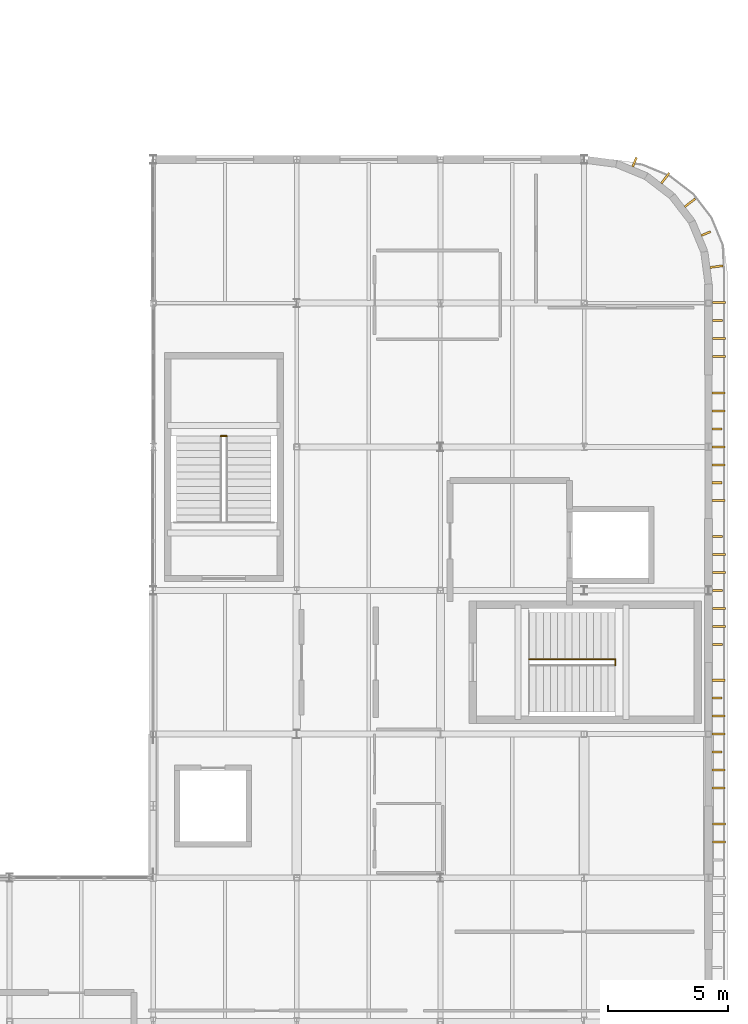
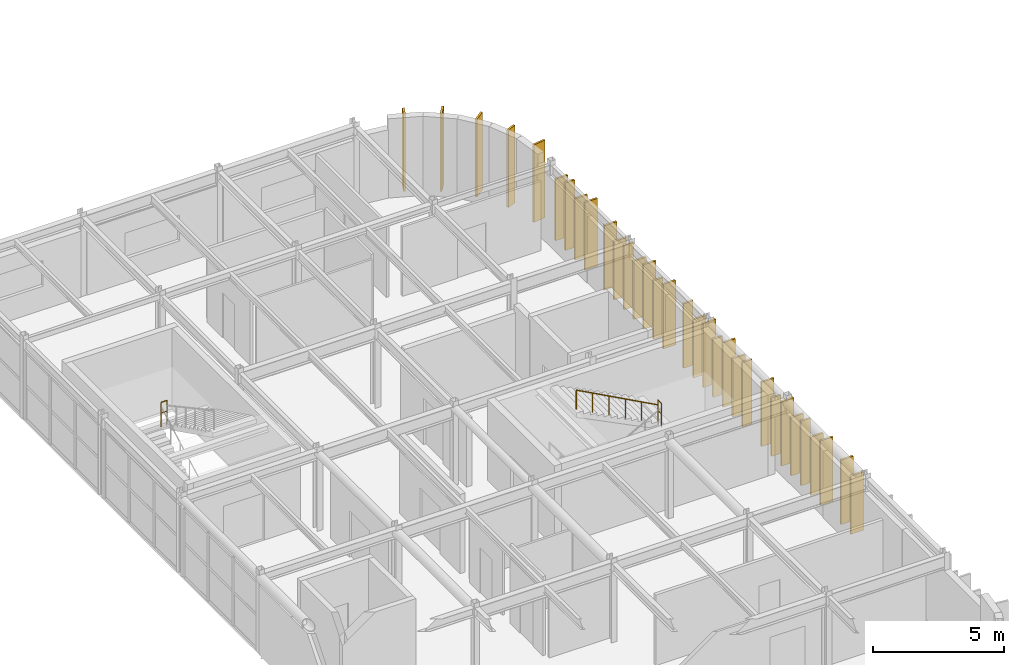
# One storey, part 63 of 63: 32 coverings, 3 railings.
"""IFC4 building model written with IfcOpenShell, lengths in metres."""

from ifc_helpers import new_model, si_unit, direction, frame, origin, origin_2d, place, context, subcontext, project, spatial, rectangle, circle, extrude, material, layer, layer_set, type_object, element, save


model = new_model("IFC4")

# Units and contexts
model_context = context("Model", 3, precision=1e-05, world=origin(), true_north=direction((0.0, 1.0)))
body_context = subcontext(model_context, "Body", "Model", "MODEL_VIEW")
ifc_project = project(units=[si_unit("LENGTHUNIT", "METRE"), si_unit("AREAUNIT", "SQUARE_METRE"), si_unit("VOLUMEUNIT", "CUBIC_METRE"), si_unit("PLANEANGLEUNIT", "RADIAN"), si_unit("MASSUNIT", "GRAM", prefix="KILO")], contexts=[model_context])

# Site, building, storey
site_placement = place(None, origin())
site = spatial("IfcSite", under=ifc_project, at=site_placement, CompositionType="ELEMENT")
building_placement = place(site_placement, origin())
building = spatial("IfcBuilding", under=site, at=building_placement, Name="Varnakota Square Police Headquarters", CompositionType="ELEMENT")
storey_placement = place(building_placement, frame((0.0, 0.0, 22.199951171875)))
storey = spatial("IfcBuildingStorey", under=building, at=storey_placement, Name="L05", CompositionType="ELEMENT", Elevation=22.199951171875)

# Coverings
ifc_material_1 = material(Name="White Anodised Aluminium Vertical Facade Blade 420", Category="aluminium")
ifc_layer_1 = layer(ifc_material_1, 0.0849609375, Name="White Anodised Aluminium Vertical Facade Blade 420")
ifc_layer_set_1 = layer_set([ifc_layer_1], Name="White Anodised Aluminium Vertical Facade Blade 420")
covering_type_1 = type_object("IfcCoveringType", Name="COV-FIN-420", PredefinedType="CLADDING", material=ifc_layer_set_1)
covering_1_placement = place(storey_placement, frame((161.544921875, 20.25, 0.0400390625), z_axis=(0.0, 0.0, 1.0), x_axis=(0.0, 1.0, 0.0)))
element("IfcCovering", 1, at=covering_1_placement, inside=storey, type_object=covering_type_1, Name="Vertical aluminium facade fin FIN-0683", PredefinedType="CLADDING", context=body_context, shape_type="SweptSolid", body=[
    extrude(rectangle(XDim=0.0849609375, YDim=0.419921875, at=origin_2d()), origin(), (0.0, 0.0, 1.0), 3.0),
])
covering_2_placement = place(storey_placement, frame((161.544921875, 22.5, 0.0400390625), z_axis=(0.0, 0.0, 1.0), x_axis=(0.0, 1.0, 0.0)))
element("IfcCovering", 2, at=covering_2_placement, inside=storey, type_object=covering_type_1, Name="Vertical aluminium facade fin FIN-0686", PredefinedType="CLADDING", context=body_context, shape_type="SweptSolid", body=[
    extrude(rectangle(XDim=0.0849609375, YDim=0.419921875, at=origin_2d()), origin(), (0.0, 0.0, 1.0), 2.719970703125),
])
covering_3_placement = place(storey_placement, frame((161.574951171875, 24.75, 0.0400390625), z_axis=(0.0, 0.0, 1.0), x_axis=(0.0, 1.0, 0.0)))
element("IfcCovering", 3, at=covering_3_placement, inside=storey, type_object=covering_type_1, Name="Vertical aluminium facade fin FIN-0688", PredefinedType="CLADDING", context=body_context, shape_type="SweptSolid", body=[
    extrude(rectangle(XDim=0.0849609375, YDim=0.419921875, at=origin_2d()), origin(), (0.0, 0.0, 1.0), 3.0),
])
covering_4_placement = place(storey_placement, frame((161.574951171875, 27.0, 0.0400390625), z_axis=(0.0, 0.0, 1.0), x_axis=(0.0, 1.0, 0.0)))
element("IfcCovering", 4, at=covering_4_placement, inside=storey, type_object=covering_type_1, Name="Vertical aluminium facade fin FIN-0691", PredefinedType="CLADDING", context=body_context, shape_type="SweptSolid", body=[
    extrude(rectangle(XDim=0.0849609375, YDim=0.419921875, at=origin_2d()), origin(), (0.0, 0.0, 1.0), 2.719970703125),
])
covering_5_placement = place(storey_placement, frame((161.574951171875, 29.25, 0.0400390625), z_axis=(0.0, 0.0, 1.0), x_axis=(0.0, 1.0, 0.0)))
element("IfcCovering", 5, at=covering_5_placement, inside=storey, type_object=covering_type_1, Name="Vertical aluminium facade fin FIN-0694", PredefinedType="CLADDING", context=body_context, shape_type="SweptSolid", body=[
    extrude(rectangle(XDim=0.0849609375, YDim=0.419921875, at=origin_2d()), origin(), (0.0, 0.0, 1.0), 3.0),
])
covering_6_placement = place(storey_placement, frame((161.544921875, 31.5, 0.0400390625), z_axis=(0.0, 0.0, 1.0), x_axis=(0.0, 1.0, 0.0)))
element("IfcCovering", 6, at=covering_6_placement, inside=storey, type_object=covering_type_1, Name="Vertical aluminium facade fin FIN-0696", PredefinedType="CLADDING", context=body_context, shape_type="SweptSolid", body=[
    extrude(rectangle(XDim=0.0849609375, YDim=0.419921875, at=origin_2d()), origin(), (0.0, 0.0, 1.0), 2.719970703125),
])
covering_7_placement = place(storey_placement, frame((161.544921875, 33.75, 0.0400390625), z_axis=(0.0, 0.0, 1.0), x_axis=(0.0, 1.0, 0.0)))
element("IfcCovering", 7, at=covering_7_placement, inside=storey, type_object=covering_type_1, Name="Vertical aluminium facade fin FIN-0699", PredefinedType="CLADDING", context=body_context, shape_type="SweptSolid", body=[
    extrude(rectangle(XDim=0.0849609375, YDim=0.419921875, at=origin_2d()), origin(), (0.0, 0.0, 1.0), 3.0),
])
covering_8_placement = place(storey_placement, frame((161.574951171875, 38.27490234375, 0.0400390625), z_axis=(0.0, 0.0, 1.0), x_axis=(0.0, 1.0, 0.0)))
element("IfcCovering", 8, at=covering_8_placement, inside=storey, type_object=covering_type_1, Name="Vertical aluminium facade fin FIN-0704", PredefinedType="CLADDING", context=body_context, shape_type="SweptSolid", body=[
    extrude(rectangle(XDim=0.0849609375, YDim=0.419921875, at=origin_2d()), origin(), (0.0, 0.0, 1.0), 3.14990234375),
])
for number, where, z_axis, x_axis, name in (
    (9, (161.091064453125, 41.90869140625, 0.0400390625), (0.0, 0.0, 1.0), (-0.382683432365, 0.923879532511, 0.0), "Vertical aluminium facade fin FIN-0718"),
    (10, (158.10888671875, 44.89111328125, 0.0400390625), (0.0, 0.0, 1.0), (-0.923879532511, 0.382683432365, 0.0), "Vertical aluminium facade fin FIN-0721"),
):
    element("IfcCovering", number, at=place(storey_placement, frame(where, z_axis=z_axis, x_axis=x_axis)), inside=storey, type_object=covering_type_1, Name=name, PredefinedType="CLADDING", context=body_context, shape_type="SweptSolid", body=[
        extrude(rectangle(XDim=0.0849609375, YDim=0.419921875, at=origin_2d()), origin(), (0.0, 0.0, 1.0), 3.60498046875),
    ])
ifc_material_2 = material(Name="White Anodised Aluminium Vertical Facade Blade 550", Category="aluminium")
ifc_layer_2 = layer(ifc_material_2, 0.0849609375, Name="White Anodised Aluminium Vertical Facade Blade 550")
ifc_layer_set_2 = layer_set([ifc_layer_2], Name="White Anodised Aluminium Vertical Facade Blade 550")
covering_type_2 = type_object("IfcCoveringType", Name="COV-FIN-550", PredefinedType="CLADDING", material=ifc_layer_set_2)
covering_9_placement = place(storey_placement, frame((161.639892578125, 16.5, 0.0400390625), z_axis=(0.0, 0.0, 1.0), x_axis=(0.0, 1.0, 0.0)))
element("IfcCovering", 11, at=covering_9_placement, inside=storey, type_object=covering_type_2, Name="Vertical aluminium facade fin FIN-0679", PredefinedType="CLADDING", context=body_context, shape_type="SweptSolid", body=[
    extrude(rectangle(XDim=0.0849609375, YDim=0.550048828125, at=origin_2d()), origin(), (0.0, 0.0, 1.0), 2.719970703125),
])
for number, where, z_axis, x_axis, name in (
    (12, (161.639892578125, 17.25, 0.0400390625), (0.0, 0.0, 1.0), (0.0, 1.0, 0.0), "Vertical aluminium facade fin FIN-0680"),
    (13, (161.610107421875, 18.75, 0.0400390625), (0.0, 0.0, 1.0), (0.0, 1.0, 0.0), "Vertical aluminium facade fin FIN-0681"),
):
    element("IfcCovering", number, at=place(storey_placement, frame(where, z_axis=z_axis, x_axis=x_axis)), inside=storey, type_object=covering_type_2, Name=name, PredefinedType="CLADDING", context=body_context, shape_type="SweptSolid", body=[
        extrude(rectangle(XDim=0.0849609375, YDim=0.550048828125, at=origin_2d()), origin(), (0.0, 0.0, 1.0), 3.0),
    ])
for number, where, z_axis, x_axis, name in (
    (14, (161.610107421875, 19.5, 0.0400390625), (0.0, 0.0, 1.0), (0.0, 1.0, 0.0), "Vertical aluminium facade fin FIN-0682"),
    (15, (161.610107421875, 21.0, 0.0400390625), (0.0, 0.0, 1.0), (0.0, 1.0, 0.0), "Vertical aluminium facade fin FIN-0684"),
):
    element("IfcCovering", number, at=place(storey_placement, frame(where, z_axis=z_axis, x_axis=x_axis)), inside=storey, type_object=covering_type_2, Name=name, PredefinedType="CLADDING", context=body_context, shape_type="SweptSolid", body=[
        extrude(rectangle(XDim=0.0849609375, YDim=0.550048828125, at=origin_2d()), origin(), (0.0, 0.0, 1.0), 2.719970703125),
    ])
for number, where, z_axis, x_axis, name in (
    (16, (161.610107421875, 21.75, 0.0400390625), (0.0, 0.0, 1.0), (0.0, 1.0, 0.0), "Vertical aluminium facade fin FIN-0685"),
    (17, (161.610107421875, 23.25, 0.0400390625), (0.0, 0.0, 1.0), (0.0, 1.0, 0.0), "Vertical aluminium facade fin FIN-0687"),
):
    element("IfcCovering", number, at=place(storey_placement, frame(where, z_axis=z_axis, x_axis=x_axis)), inside=storey, type_object=covering_type_2, Name=name, PredefinedType="CLADDING", context=body_context, shape_type="SweptSolid", body=[
        extrude(rectangle(XDim=0.0849609375, YDim=0.550048828125, at=origin_2d()), origin(), (0.0, 0.0, 1.0), 3.0),
    ])
covering_10_placement = place(storey_placement, frame((161.639892578125, 25.5, 0.0400390625), z_axis=(0.0, 0.0, 1.0), x_axis=(0.0, 1.0, 0.0)))
element("IfcCovering", 18, at=covering_10_placement, inside=storey, type_object=covering_type_2, Name="Vertical aluminium facade fin FIN-0689", PredefinedType="CLADDING", context=body_context, shape_type="SweptSolid", body=[
    extrude(rectangle(XDim=0.0849609375, YDim=0.550048828125, at=origin_2d()), origin(), (0.0, 0.0, 1.0), 2.719970703125),
])
for number, where, z_axis, x_axis, name in (
    (19, (161.639892578125, 26.25, 0.0400390625), (0.0, 0.0, 1.0), (0.0, 1.0, 0.0), "Vertical aluminium facade fin FIN-0690"),
    (20, (161.639892578125, 27.75, 0.0400390625), (0.0, 0.0, 1.0), (0.0, 1.0, 0.0), "Vertical aluminium facade fin FIN-0692"),
):
    element("IfcCovering", number, at=place(storey_placement, frame(where, z_axis=z_axis, x_axis=x_axis)), inside=storey, type_object=covering_type_2, Name=name, PredefinedType="CLADDING", context=body_context, shape_type="SweptSolid", body=[
        extrude(rectangle(XDim=0.0849609375, YDim=0.550048828125, at=origin_2d()), origin(), (0.0, 0.0, 1.0), 3.0),
    ])
covering_11_placement = place(storey_placement, frame((161.639892578125, 28.5, 0.0400390625), z_axis=(0.0, 0.0, 1.0), x_axis=(0.0, 1.0, 0.0)))
element("IfcCovering", 21, at=covering_11_placement, inside=storey, type_object=covering_type_2, Name="Vertical aluminium facade fin FIN-0693", PredefinedType="CLADDING", context=body_context, shape_type="SweptSolid", body=[
    extrude(rectangle(XDim=0.0849609375, YDim=0.550048828125, at=origin_2d()), origin(), (0.0, 0.0, 1.0), 2.719970703125),
])
for number, where, z_axis, x_axis, name in (
    (22, (161.610107421875, 30.75, 0.0400390625), (0.0, 0.0, 1.0), (0.0, 1.0, 0.0), "Vertical aluminium facade fin FIN-0695"),
    (23, (161.610107421875, 32.25, 0.0400390625), (0.0, 0.0, 1.0), (0.0, 1.0, 0.0), "Vertical aluminium facade fin FIN-0697"),
):
    element("IfcCovering", number, at=place(storey_placement, frame(where, z_axis=z_axis, x_axis=x_axis)), inside=storey, type_object=covering_type_2, Name=name, PredefinedType="CLADDING", context=body_context, shape_type="SweptSolid", body=[
        extrude(rectangle(XDim=0.0849609375, YDim=0.550048828125, at=origin_2d()), origin(), (0.0, 0.0, 1.0), 3.0),
    ])
for number, where, z_axis, x_axis, name in (
    (24, (161.610107421875, 33.0, 0.0400390625), (0.0, 0.0, 1.0), (0.0, 1.0, 0.0), "Vertical aluminium facade fin FIN-0698"),
    (25, (161.610107421875, 34.5, 0.0400390625), (0.0, 0.0, 1.0), (0.0, 1.0, 0.0), "Vertical aluminium facade fin FIN-0700"),
):
    element("IfcCovering", number, at=place(storey_placement, frame(where, z_axis=z_axis, x_axis=x_axis)), inside=storey, type_object=covering_type_2, Name=name, PredefinedType="CLADDING", context=body_context, shape_type="SweptSolid", body=[
        extrude(rectangle(XDim=0.0849609375, YDim=0.550048828125, at=origin_2d()), origin(), (0.0, 0.0, 1.0), 2.719970703125),
    ])
covering_12_placement = place(storey_placement, frame((161.610107421875, 35.25, 0.0400390625), z_axis=(0.0, 0.0, 1.0), x_axis=(0.0, 1.0, 0.0)))
element("IfcCovering", 26, at=covering_12_placement, inside=storey, type_object=covering_type_2, Name="Vertical aluminium facade fin FIN-0701", PredefinedType="CLADDING", context=body_context, shape_type="SweptSolid", body=[
    extrude(rectangle(XDim=0.0849609375, YDim=0.550048828125, at=origin_2d()), origin(), (0.0, 0.0, 1.0), 3.0),
])
covering_13_placement = place(storey_placement, frame((161.639892578125, 36.77490234375, 0.0400390625), z_axis=(0.0, 0.0, 1.0), x_axis=(0.0, 1.0, 0.0)))
element("IfcCovering", 27, at=covering_13_placement, inside=storey, type_object=covering_type_2, Name="Vertical aluminium facade fin FIN-0702", PredefinedType="CLADDING", context=body_context, shape_type="SweptSolid", body=[
    extrude(rectangle(XDim=0.0849609375, YDim=0.550048828125, at=origin_2d()), origin(), (0.0, 0.0, 1.0), 3.14990234375),
])
for number, where, z_axis, x_axis, name in (
    (28, (161.639892578125, 37.52490234375, 0.0400390625), (0.0, 0.0, 1.0), (0.0, 1.0, 0.0), "Vertical aluminium facade fin FIN-0703"),
    (29, (161.639892578125, 39.02490234375, 0.0400390625), (0.0, 0.0, 1.0), (0.0, 1.0, 0.0), "Vertical aluminium facade fin FIN-0705"),
):
    element("IfcCovering", number, at=place(storey_placement, frame(where, z_axis=z_axis, x_axis=x_axis)), inside=storey, type_object=covering_type_2, Name=name, PredefinedType="CLADDING", context=body_context, shape_type="SweptSolid", body=[
        extrude(rectangle(XDim=0.0849609375, YDim=0.550048828125, at=origin_2d()), origin(), (0.0, 0.0, 1.0), 2.8701171875),
    ])
for number, where, z_axis, x_axis, name in (
    (30, (161.52783203125, 40.52783203125, 0.0400390625), (0.0, 0.0, 1.0), (-0.13052619222, 0.991444861374, 0.0), "Vertical aluminium facade fin FIN-0717"),
    (31, (160.42333984375, 43.194091796875, 0.0400390625), (0.0, 0.0, 1.0), (-0.608761429009, 0.793353340291, 0.0), "Vertical aluminium facade fin FIN-0719"),
    (32, (159.394287109375, 44.223388671875, 0.0400390625), (0.0, 0.0, 1.0), (-0.793353340291, 0.608761429009, 0.0), "Vertical aluminium facade fin FIN-0720"),
):
    element("IfcCovering", number, at=place(storey_placement, frame(where, z_axis=z_axis, x_axis=x_axis)), inside=storey, type_object=covering_type_2, Name=name, PredefinedType="CLADDING", context=body_context, shape_type="SweptSolid", body=[
        extrude(rectangle(XDim=0.0849609375, YDim=0.550048828125, at=origin_2d()), origin(), (0.0, 0.0, 1.0), 3.60498046875),
    ])

# Railings
ifc_material_3 = material(Name="Brushed Stainless Steel Tubular Handrail", Category="steel")
railing_type_1 = type_object("IfcRailingType", Name="RL-HND-920", PredefinedType="HANDRAIL", material=ifc_material_3)
railing_1_placement = place(storey_placement, frame((157.300537109375, 24.1201171875, 1.949951171875)))
element("IfcRailing", 33, at=railing_1_placement, inside=storey, type_object=railing_type_1, Name="Stair flight handrail HR-L05-026", PredefinedType="HANDRAIL", context=body_context, shape_type="SweptSolid", body=[
    extrude(circle(Radius=0.02392578125, at=origin_2d()), frame((0.0, 0.0, 0.89599609375), z_axis=(-0.87930445083, 0.0, 0.476260099894), x_axis=(0.0, -1.0, 0.0)), (0.0, 0.0, 1.0), 4.0947265625),
    extrude(circle(Radius=0.02099609375, at=origin_2d()), origin(), (0.0, 0.0, 1.0), 0.871826171875),
    extrude(circle(Radius=0.02099609375, at=origin_2d()), frame((-0.72021484375, 0.0, 0.39013671875)), (0.0, 0.0, 1.0), 0.871826171875),
    extrude(circle(Radius=0.02099609375, at=origin_2d()), frame((-1.440185546875, 0.0, 0.780029296875)), (0.0, 0.0, 1.0), 0.871826171875),
    extrude(circle(Radius=0.02099609375, at=origin_2d()), frame((-2.160400390625, 0.0, 1.170166015625)), (0.0, 0.0, 1.0), 0.871826171875),
    extrude(circle(Radius=0.02099609375, at=origin_2d()), frame((-2.88037109375, 0.0, 1.56005859375)), (0.0, 0.0, 1.0), 0.871826171875),
    extrude(circle(Radius=0.02099609375, at=origin_2d()), frame((-3.6005859375, 0.0, 1.9501953125)), (0.0, 0.0, 1.0), 0.871826171875),
])
ifc_material_4 = material(Name="Laminated Glass and Stainless Steel Balustrade", Category="steel")
railing_type_2 = type_object("IfcRailingType", Name="RL-INT-1150", PredefinedType="BALUSTRADE", material=ifc_material_4)
railing_2_placement = place(storey_placement, frame((157.300537109375, 23.869873046875, 1.949951171875)))
element("IfcRailing", 34, at=railing_2_placement, inside=storey, type_object=railing_type_2, Name="Half-landing well guard C2 L05", PredefinedType="BALUSTRADE", context=body_context, shape_type="SweptSolid", body=[
    extrude(circle(Radius=0.02392578125, at=origin_2d()), frame((0.0, 0.0, 1.1259765625), z_axis=(0.0, 1.0, 0.0), x_axis=(-1.0, 0.0, 0.0)), (0.0, 0.0, 1.0), 0.26025390625),
    extrude(circle(Radius=0.01806640625, at=origin_2d()), frame((0.0, 0.0, 0.63232421875), z_axis=(0.0, 1.0, 0.0), x_axis=(-1.0, 0.0, 0.0)), (0.0, 0.0, 1.0), 0.26025390625),
    extrude(circle(Radius=0.02099609375, at=origin_2d()), origin(), (0.0, 0.0, 1.0), 1.101806640625),
    extrude(circle(Radius=0.02099609375, at=origin_2d()), frame((0.0, 0.26025390625, 0.0)), (0.0, 0.0, 1.0), 1.101806640625),
])
railing_3_placement = place(storey_placement, frame((140.81982421875, 33.45068359375, 1.949951171875)))
element("IfcRailing", 35, at=railing_3_placement, inside=storey, type_object=railing_type_2, Name="Half-landing well guard C3 L05", PredefinedType="BALUSTRADE", context=body_context, shape_type="SweptSolid", body=[
    extrude(circle(Radius=0.02392578125, at=origin_2d()), frame((0.0, 0.0, 1.1259765625), z_axis=(1.0, 0.0, 0.0), x_axis=(0.0, 1.0, 0.0)), (0.0, 0.0, 1.0), 0.26025390625),
    extrude(circle(Radius=0.01806640625, at=origin_2d()), frame((0.0, 0.0, 0.63232421875), z_axis=(1.0, 0.0, 0.0), x_axis=(0.0, 1.0, 0.0)), (0.0, 0.0, 1.0), 0.26025390625),
    extrude(circle(Radius=0.02099609375, at=origin_2d()), origin(), (0.0, 0.0, 1.0), 1.101806640625),
    extrude(circle(Radius=0.02099609375, at=origin_2d()), frame((0.26025390625, 0.0, 0.0)), (0.0, 0.0, 1.0), 1.101806640625),
])

save(model, "model.ifc")
